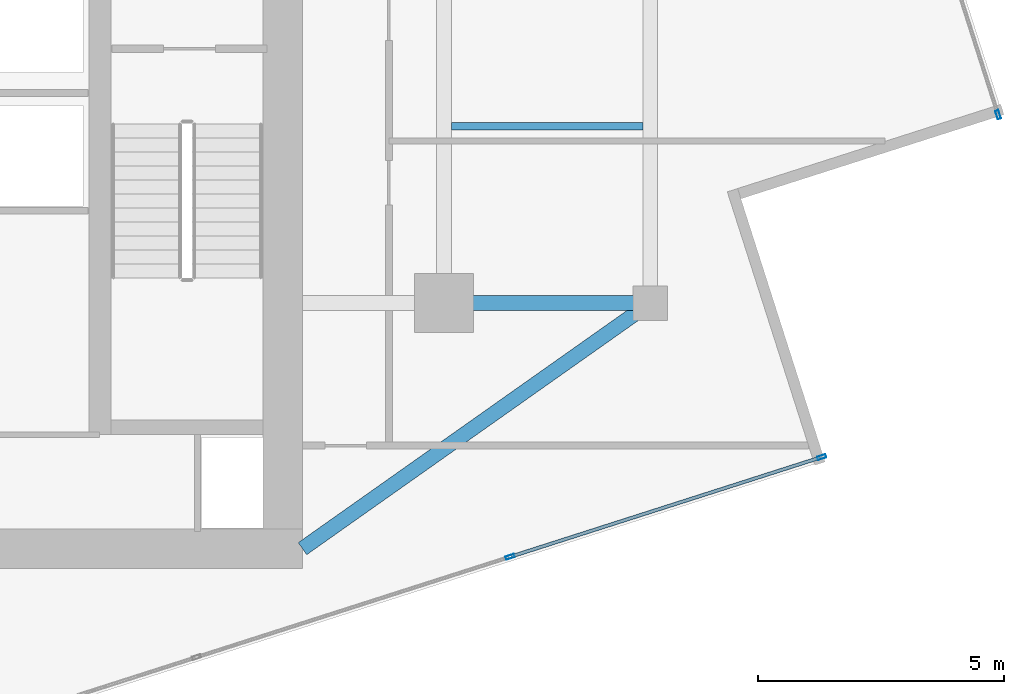
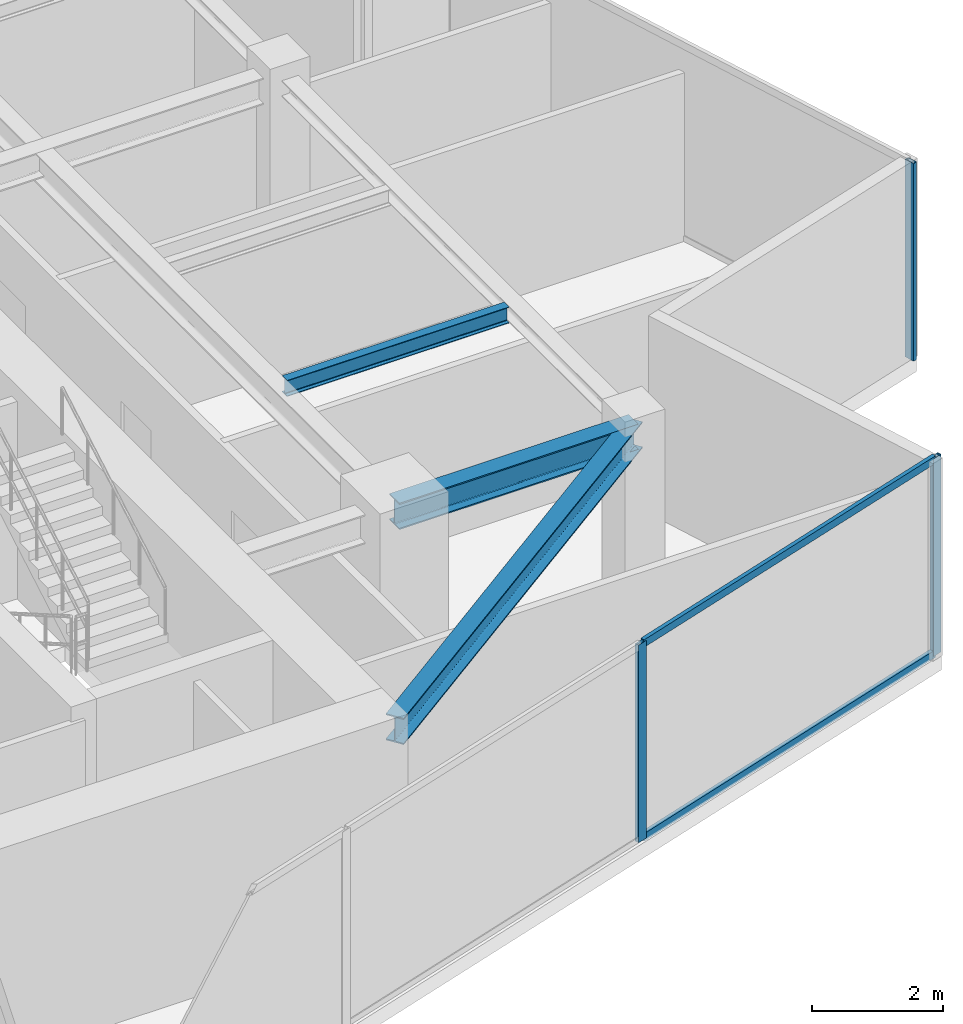
# One storey, part 9 of 21: 5 members, 3 beams, 2 elements without a shape of their own.
"""IFC4 building model written with IfcOpenShell, lengths in metres."""

from ifc_helpers import new_model, si_unit, direction, frame, origin, origin_2d, place, context, subcontext, project, spatial, hollow_rectangle, i_section, extrude, source, transform, mapped, material, material_profile, profile_set, type_object, type_shapes, element, aggregate, save


model = new_model("IFC4")

# Units and contexts
model_context = context("Model", 3, precision=1e-05, world=origin(), true_north=direction((0.0, 1.0)))
body_context = subcontext(model_context, "Body", "Model", "MODEL_VIEW")
ifc_project = project(units=[si_unit("LENGTHUNIT", "METRE"), si_unit("AREAUNIT", "SQUARE_METRE"), si_unit("VOLUMEUNIT", "CUBIC_METRE"), si_unit("PLANEANGLEUNIT", "RADIAN"), si_unit("MASSUNIT", "GRAM", prefix="KILO")], contexts=[model_context])

# Site, building, storey
site_placement = place(None, origin())
site = spatial("IfcSite", under=ifc_project, at=site_placement, CompositionType="ELEMENT")
building_placement = place(site_placement, origin())
building = spatial("IfcBuilding", under=site, at=building_placement, Name="Krantzveldt Concourse Tower", CompositionType="ELEMENT")
storey_placement = place(building_placement, frame((0.0, 0.0, 343.5)))
storey = spatial("IfcBuildingStorey", under=building, at=storey_placement, Name="L84", CompositionType="ELEMENT", Elevation=343.5)

# Beams
ifc_material_1 = material(Name="Steel S355JR", Category="steel")
ifc_material_profile_1 = material_profile(ifc_material_1, i_section(OverallWidth=0.300048828125, OverallDepth=0.489990234375, WebThickness=0.011962890625, FlangeThickness=0.02294921875, FilletRadius=0.027099609375, at=origin_2d()), Name="Steel S355JR", Category="steel")
ifc_profile_set_1 = profile_set([ifc_material_profile_1], Name="Steel S355JR - HEA 500")
beam_type_1 = type_object("IfcBeamType", Name="BM-B-HEA500", PredefinedType="BEAM", material=ifc_profile_set_1)
shared_shape_1 = source(origin(), body_context, "Body", "SweptSolid", [
    extrude(i_section(OverallWidth=0.300048828125, OverallDepth=0.489990234375, WebThickness=0.011962890625, FlangeThickness=0.02294921875, FilletRadius=0.027099609375, at=origin_2d()), origin(), (0.0, 0.0, 1.0), 4.199951171875),
])
beam_1_placement = place(storey_placement, frame((46.800048828125, 15.89990234375, 3.425048828125), z_axis=(1.0, 0.0, 0.0), x_axis=(0.0, 1.0, 0.0)))
element("IfcBeam", 1, at=beam_1_placement, inside=storey, type_object=beam_type_1, Name="L84 Tower Girder BR-RR1", PredefinedType="BEAM", context=body_context, shape_type="MappedRepresentation", body=[
    mapped(shared_shape_1, transform((0.0, 0.0, 0.0), x_axis=(1.0, 0.0, 0.0), y_axis=(0.0, 1.0, 0.0), z_axis=(0.0, 0.0, 1.0), scale=1.0)),
])
shared_shape_2 = source(origin(), body_context, "Body", "SweptSolid", [
    extrude(i_section(OverallWidth=0.300048828125, OverallDepth=0.489990234375, WebThickness=0.011962890625, FlangeThickness=0.02294921875, FilletRadius=0.027099609375, at=origin_2d()), origin(), (0.0, 0.0, 1.0), 8.667724609375),
])
type_shapes(beam_type_1, [shared_shape_1, shared_shape_2])
beam_2_placement = place(storey_placement, frame((51.0, 15.89990234375, 3.425048828125), z_axis=(-0.81684294656, -0.576860122261, 0.0), x_axis=(0.576860122261, -0.81684294656, 0.0)))
element("IfcBeam", 2, at=beam_2_placement, inside=storey, type_object=beam_type_1, Name="L84 Tower Girder BR-CSE", PredefinedType="BEAM", context=body_context, shape_type="MappedRepresentation", body=[
    mapped(shared_shape_2, transform((0.0, 0.0, 0.0), x_axis=(1.0, 0.0, 0.0), y_axis=(0.0, 1.0, 0.0), z_axis=(0.0, 0.0, 1.0), scale=1.0)),
])
ifc_material_profile_2 = material_profile(ifc_material_1, i_section(OverallWidth=0.14990234375, OverallDepth=0.300048828125, WebThickness=0.007080078125, FlangeThickness=0.0107421875, FilletRadius=0.014892578125, at=origin_2d()), Name="Steel S355JR", Category="steel")
ifc_profile_set_2 = profile_set([ifc_material_profile_2], Name="Steel S355JR - IPE 300")
beam_type_2 = type_object("IfcBeamType", Name="BM-J-IPE300", PredefinedType="JOIST", material=ifc_profile_set_2)
shared_shape_3 = source(origin(), body_context, "Body", "SweptSolid", [
    extrude(i_section(OverallWidth=0.14990234375, OverallDepth=0.300048828125, WebThickness=0.007080078125, FlangeThickness=0.0107421875, FilletRadius=0.014892578125, at=origin_2d()), origin(), (0.0, 0.0, 1.0), 3.900146484375),
])
type_shapes(beam_type_2, [shared_shape_3])
beam_3_placement = place(storey_placement, frame((46.949951171875, 19.5, 3.52001953125), z_axis=(1.0, 0.0, 0.0), x_axis=(0.0, 1.0, 0.0)))
element("IfcBeam", 3, at=beam_3_placement, inside=storey, type_object=beam_type_2, Name="L84 Secondary Floor Joist JE-1", PredefinedType="JOIST", context=body_context, shape_type="MappedRepresentation", body=[
    mapped(shared_shape_3, transform((0.0, 0.0, 0.0), x_axis=(1.0, 0.0, 0.0), y_axis=(0.0, 1.0, 0.0), z_axis=(0.0, 0.0, 1.0), scale=1.0)),
])

# Curtain wall, members
ifc_material_2 = material(Name="Anodised aluminium 6063-T6", Category="aluminium")
curtain_wall_type = type_object("IfcCurtainWallType", Name="CW4", PredefinedType="USERDEFINED", material=ifc_material_2)
curtain_wall_1_placement = place(storey_placement, origin())
curtain_wall_1 = element("IfcCurtainWall", 4, at=curtain_wall_1_placement, inside=storey, type_object=curtain_wall_type, Name="CW-L84-F07", ObjectType="UNITISED CURTAIN WALL", PredefinedType="USERDEFINED")
ifc_material_profile_3 = material_profile(ifc_material_2, hollow_rectangle(XDim=0.070068359375, YDim=0.179931640625, WallThickness=0.0048828125, at=origin_2d()), Name="Anodised aluminium 6063-T6", Category="aluminium")
ifc_profile_set_3 = profile_set([ifc_material_profile_3], Name="Anodised aluminium 6063-T6 - ALU-MULL 180x70x5")
member_type_1 = type_object("IfcMemberType", Name="CW-MUL-180", PredefinedType="MULLION", material=ifc_profile_set_3)
shared_shape_4 = source(origin(), body_context, "Body", "SweptSolid", [
    extrude(hollow_rectangle(XDim=0.070068359375, YDim=0.179931640625, WallThickness=0.0048828125, at=origin_2d()), origin(), (0.0, 0.0, 1.0), 3.669921875),
])
type_shapes(member_type_1, [shared_shape_4])
member_1_placement = place(storey_placement, frame((48.14599609375, 10.73291015625, 0.0), z_axis=(0.0, 0.0, 1.0), x_axis=(-0.304864162408, 0.952395843376, 0.0)))
member_1 = element("IfcMember", 5, at=member_1_placement, type_object=member_type_1, Name="CW-Z56 mullion 4", PredefinedType="MULLION", context=body_context, shape_type="MappedRepresentation", body=[
    mapped(shared_shape_4, transform((0.0, 0.0, 0.0), x_axis=(1.0, 0.0, 0.0), y_axis=(0.0, 1.0, 0.0), z_axis=(0.0, 0.0, 1.0), scale=1.0)),
])
member_2_placement = place(storey_placement, frame((54.49365234375, 12.7646484375, 0.0), z_axis=(0.0, 0.0, 1.0), x_axis=(-0.304864162408, 0.952395843376, 0.0)))
member_2 = element("IfcMember", 6, at=member_2_placement, type_object=member_type_1, Name="CW-Z56 mullion 5", PredefinedType="MULLION", context=body_context, shape_type="MappedRepresentation", body=[
    mapped(shared_shape_4, transform((0.0, 0.0, 0.0), x_axis=(1.0, 0.0, 0.0), y_axis=(0.0, 1.0, 0.0), z_axis=(0.0, 0.0, 1.0), scale=1.0)),
])

# Curtain wall, member
curtain_wall_2_placement = place(storey_placement, origin())
curtain_wall_2 = element("IfcCurtainWall", 7, at=curtain_wall_2_placement, inside=storey, type_object=curtain_wall_type, Name="CW-L84-F10", ObjectType="UNITISED CURTAIN WALL", PredefinedType="USERDEFINED")
member_3_placement = place(storey_placement, frame((58.084228515625, 19.736328125, 0.0), z_axis=(0.0, 0.0, 1.0), x_axis=(-0.952395720224, -0.304864547135, 0.0)))
member_3 = element("IfcMember", 8, at=member_3_placement, type_object=member_type_1, Name="CW-Z56 mullion 1", PredefinedType="MULLION", context=body_context, shape_type="MappedRepresentation", body=[
    mapped(shared_shape_4, transform((0.0, 0.0, 0.0), x_axis=(1.0, 0.0, 0.0), y_axis=(0.0, 1.0, 0.0), z_axis=(0.0, 0.0, 1.0), scale=1.0)),
])
aggregate(curtain_wall_2, [member_3])

# Member
ifc_material_profile_4 = material_profile(ifc_material_2, hollow_rectangle(XDim=0.070068359375, YDim=0.139892578125, WallThickness=0.0048828125, at=origin_2d()), Name="Anodised aluminium 6063-T6", Category="aluminium")
ifc_profile_set_4 = profile_set([ifc_material_profile_4], Name="Anodised aluminium 6063-T6 - ALU-TRAN 140x70x5")
member_type_2 = type_object("IfcMemberType", Name="CW-TRN-150", PredefinedType="USERDEFINED", material=ifc_profile_set_4)
shared_shape_5 = source(origin(), body_context, "Body", "SweptSolid", [
    extrude(hollow_rectangle(XDim=0.070068359375, YDim=0.139892578125, WallThickness=0.0048828125, at=origin_2d()), origin(), (0.0, 0.0, 1.0), 6.594970703125),
])
type_shapes(member_type_2, [shared_shape_5])
member_4_placement = place(storey_placement, frame((48.179443359375, 10.743408203125, 0.034912109375), z_axis=(0.952388034894, 0.304888555035, 0.0), x_axis=(-0.304888555035, 0.952388034894, 0.0)))
member_4 = element("IfcMember", 9, at=member_4_placement, type_object=member_type_2, Name="CW-Z56 transom 4.1", ObjectType="TRANSOM", PredefinedType="USERDEFINED", context=body_context, shape_type="MappedRepresentation", body=[
    mapped(shared_shape_5, transform((0.0, 0.0, 0.0), x_axis=(1.0, 0.0, 0.0), y_axis=(0.0, 1.0, 0.0), z_axis=(0.0, 0.0, 1.0), scale=1.0)),
])

member_5_placement = place(storey_placement, frame((48.179443359375, 10.743408203125, 3.635009765625), z_axis=(0.952388034894, 0.304888555035, 0.0), x_axis=(-0.304888555035, 0.952388034894, 0.0)))
member_5 = element("IfcMember", 10, at=member_5_placement, type_object=member_type_2, Name="CW-Z56 transom 4.2", ObjectType="TRANSOM", PredefinedType="USERDEFINED", context=body_context, shape_type="MappedRepresentation", body=[
    mapped(shared_shape_5, transform((0.0, 0.0, 0.0), x_axis=(1.0, 0.0, 0.0), y_axis=(0.0, 1.0, 0.0), z_axis=(0.0, 0.0, 1.0), scale=1.0)),
])

aggregate(curtain_wall_1, [member_1, member_2, member_4, member_5])

save(model, "model.ifc")
